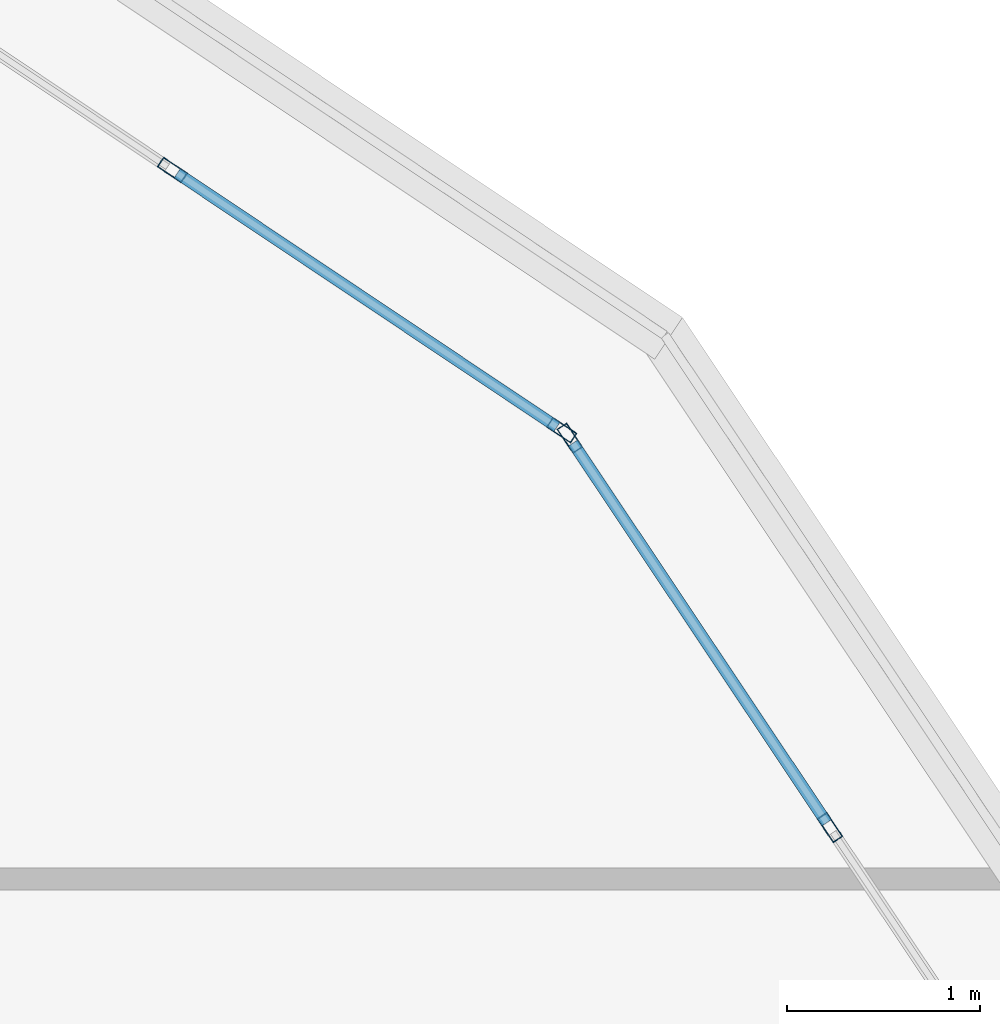
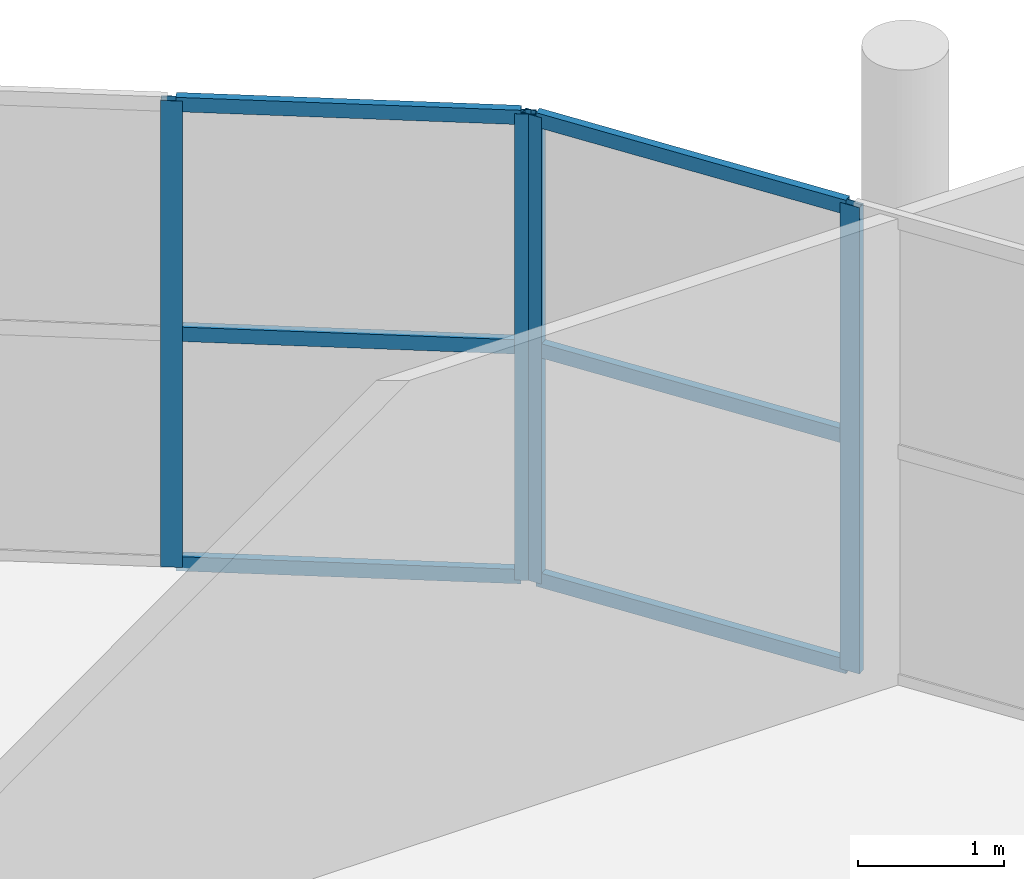
# One storey, part 28 of 50: 10 members, 2 elements without a shape of their own.
"""IFC4 building model written with IfcOpenShell, lengths in metres."""

import ifcopenshell
import ifcopenshell.guid

model = None  # the IFC model being written
_history = None  # IfcOwnerHistory: only IFC2X3 demands one
_inside = {}  # id of a spatial element -> (the spatial element, [elements in it])
_under = {}  # id of a project, library or spatial element -> (it, [spatial elements below it])
_declared = {}  # id of a project -> (the project, [libraries it declares])
_typed = {}  # id of a type object -> (the type object, [elements of that type])
_made_of = {}  # id of a material, layer set ... -> (it, [elements and type objects made of it])


def new_model(schema):
    """Start an empty IFC model of exactly this schema.

    Asked for "IFC4X3", IfcOpenShell would pick the latest addendum, in which some entities
    have other attributes; the version numbers below select the first issue.
    IFC2X3 requires an IfcOwnerHistory on every rooted entity: one is made here for all.
    """
    global model, _history
    if schema == "IFC4X3":
        model = ifcopenshell.file(schema_version=(4, 3, 0, 0))
    else:
        model = ifcopenshell.file(schema=schema)
    _inside.clear()
    _under.clear()
    _declared.clear()
    _typed.clear()
    _made_of.clear()
    _history = None
    if model.schema == "IFC2X3":
        org = make("IfcOrganization", Name="unknown")
        user = make(
            "IfcPersonAndOrganization",
            ThePerson=make("IfcPerson", FamilyName="unknown"),
            TheOrganization=org,
        )
        app = make(
            "IfcApplication",
            ApplicationDeveloper=org,
            Version="unknown",
            ApplicationFullName="unknown",
            ApplicationIdentifier="unknown",
        )
        _history = make(
            "IfcOwnerHistory",
            OwningUser=user,
            OwningApplication=app,
            ChangeAction="ADDED",
            CreationDate=0,
        )
    return model


def make(cls, **values):
    """One entity of the class cls with the attributes given. An attribute that is None is left unset."""
    return model.create_entity(
        cls, **{name: value for name, value in values.items() if value is not None}
    )


def rooted(cls, **values):
    """An entity with a GlobalId (a new one), such as an element, a storey or a relation."""
    return make(cls, GlobalId=ifcopenshell.guid.new(), OwnerHistory=_history, **values)


def si_unit(unit_type, name, prefix=None):
    """IfcSIUnit, for example si_unit("LENGTHUNIT", "METRE", prefix="MILLI")."""
    return make("IfcSIUnit", UnitType=unit_type, Prefix=prefix, Name=name)


def assignment(units):
    """IfcUnitAssignment: the units of a project."""
    return None if units is None else make("IfcUnitAssignment", Units=units)


def point(xyz):
    """IfcCartesianPoint."""
    return None if xyz is None else make("IfcCartesianPoint", Coordinates=xyz)


def direction(xyz):
    """IfcDirection."""
    return None if xyz is None else make("IfcDirection", DirectionRatios=xyz)


def frame(location, z_axis=None, x_axis=None):
    """IfcAxis2Placement3D, a coordinate frame: its origin and axes. An axis left out is left unset."""
    return make(
        "IfcAxis2Placement3D",
        Location=point(location),
        Axis=direction(z_axis),
        RefDirection=direction(x_axis),
    )


def frame_2d(location, x_axis=None):
    """IfcAxis2Placement2D, a coordinate frame in the plane: its origin and x axis."""
    return make(
        "IfcAxis2Placement2D", Location=point(location), RefDirection=direction(x_axis)
    )


def origin():
    """The frame at (0, 0, 0) with its axes left unset."""
    return frame((0.0, 0.0, 0.0))


def origin_2d():
    """The frame at (0, 0) in the plane with its x axis left unset."""
    return frame_2d((0.0, 0.0))


def place(relative_to, where):
    """IfcLocalPlacement: puts the frame where relative to a parent placement (None: the world)."""
    return make(
        "IfcLocalPlacement", PlacementRelTo=relative_to, RelativePlacement=where
    )


def context(
    kind, dimensions, precision=None, world=None, true_north=None, identifier=None
):
    """IfcGeometricRepresentationContext, for example the 3D "Model" context."""
    return make(
        "IfcGeometricRepresentationContext",
        ContextIdentifier=identifier,
        ContextType=kind,
        CoordinateSpaceDimension=dimensions,
        Precision=precision,
        WorldCoordinateSystem=world,
        TrueNorth=true_north,
    )


def subcontext(parent, identifier, kind, view, scale=None):
    """IfcGeometricRepresentationSubContext, for example "Body" below "Model"."""
    return make(
        "IfcGeometricRepresentationSubContext",
        ContextIdentifier=identifier,
        ContextType=kind,
        ParentContext=parent,
        TargetScale=scale,
        TargetView=view,
    )


def project(units=None, contexts=None):
    """IfcProject with its units and contexts."""
    return rooted(
        "IfcProject",
        Name="project",
        RepresentationContexts=contexts,
        UnitsInContext=assignment(units),
    )


def spatial(cls, under=None, at=None, **own):
    """A site, building, storey or space (cls), placed at a placement, below another one or the project."""
    s = rooted(cls, ObjectPlacement=at, **own)
    if under is not None:
        _under.setdefault(under.id(), (under, []))[1].append(s)
    return s


def profile(cls, at=None, kind="AREA", **sizes):
    """A parametric profile (cls). Its sizes go by their IFC names, for example OverallWidth=200.0."""
    return make(cls, ProfileType=kind, Position=at, **sizes)


def hollow_rectangle(**sizes):
    """IfcRectangleHollowProfileDef."""
    return profile("IfcRectangleHollowProfileDef", **sizes)


def extrude(swept, where, along, depth):
    """IfcExtrudedAreaSolid: the profile swept, set in the frame where, extruded along a direction by depth."""
    return make(
        "IfcExtrudedAreaSolid",
        SweptArea=swept,
        Position=where,
        ExtrudedDirection=direction(along),
        Depth=depth,
    )


def shape(context_of_items, identifier, shape_type, items):
    """IfcShapeRepresentation: the items that make up one representation, for example the "Body"."""
    return make(
        "IfcShapeRepresentation",
        ContextOfItems=context_of_items,
        RepresentationIdentifier=identifier,
        RepresentationType=shape_type,
        Items=items,
    )


def material(Name=None, Category=None):
    """IfcMaterial."""
    return make("IfcMaterial", Name=Name, Category=Category)


def layer(
    of_material, thickness, ventilated=None, Name=None, Category=None, Priority=None
):
    """IfcMaterialLayer: one layer of a wall or slab, of a material (None: an air gap)."""
    return make(
        "IfcMaterialLayer",
        Material=of_material,
        LayerThickness=thickness,
        IsVentilated=ventilated,
        Name=Name,
        Category=Category,
        Priority=Priority,
    )


def layer_set(layers, Name=None):
    """IfcMaterialLayerSet."""
    return make("IfcMaterialLayerSet", MaterialLayers=layers, LayerSetName=Name)


def material_profile(
    of_material, cross_section, Name=None, Category=None, Priority=None
):
    """IfcMaterialProfile: a cross section and its material."""
    return make(
        "IfcMaterialProfile",
        Name=Name,
        Material=of_material,
        Profile=cross_section,
        Priority=Priority,
        Category=Category,
    )


def profile_set(profiles, Name=None, composite=None):
    """IfcMaterialProfileSet."""
    return make(
        "IfcMaterialProfileSet",
        Name=Name,
        MaterialProfiles=profiles,
        CompositeProfile=composite,
    )


def made_of(thing, what):
    """Note that an element or type object is made of a material, layer set ...; save() writes the relation."""
    if what is not None:
        _made_of.setdefault(what.id(), (what, []))[1].append(thing)
    return thing


def type_object(cls, material=None, **own):
    """A type object (cls), such as IfcWallType, which elements share."""
    return made_of(rooted(cls, **own), material)


def element(
    cls,
    number,
    at=None,
    inside=None,
    cuts=None,
    type_object=None,
    material=None,
    context=None,
    identifier="Body",
    shape_type=None,
    held_by="IfcProductDefinitionShape",
    body=None,
    shapes=None,
    **own,
):
    """One element of the class cls, such as IfcWall. Its Tag is "e" and its number.

    at: its placement. inside: the storey or other place that contains it. cuts: it is an
    opening in that element (IfcRelVoidsElement). A single representation is given by context,
    identifier, shape_type and body (its items); several are given by shapes. held_by: the class
    of the entity that holds the representations. save() writes the other relations.
    """
    e = rooted(cls, Tag="e%d" % number, ObjectPlacement=at, **own)
    if body is not None:
        shapes = [shape(context, identifier, shape_type, body)]
    if shapes is not None:
        e.Representation = make(held_by, Representations=shapes)
    if inside is not None:
        _inside.setdefault(inside.id(), (inside, []))[1].append(e)
    if cuts is not None:
        rooted(
            "IfcRelVoidsElement", RelatingBuildingElement=cuts, RelatedOpeningElement=e
        )
    if type_object is not None:
        _typed.setdefault(type_object.id(), (type_object, []))[1].append(e)
    return made_of(e, material)


def aggregate(whole, parts):
    """IfcRelAggregates: a whole, such as a stair, and the parts it consists of."""
    return rooted("IfcRelAggregates", RelatingObject=whole, RelatedObjects=parts)


def save(model, path):
    """Write the relations noted so far, then the file.

    IfcRelAggregates (storeys below a building ...), IfcRelContainedInSpatialStructure (elements
    in a storey), IfcRelDefinesByType, IfcRelAssociatesMaterial and IfcRelDeclares: one each for
    every whole, place, type object, material and project.
    """
    for whole, parts in _under.values():
        aggregate(whole, parts)
    for where, things in _inside.values():
        rooted(
            "IfcRelContainedInSpatialStructure",
            RelatedElements=things,
            RelatingStructure=where,
        )
    for kind, things in _typed.values():
        rooted("IfcRelDefinesByType", RelatedObjects=things, RelatingType=kind)
    for what, things in _made_of.values():
        rooted("IfcRelAssociatesMaterial", RelatedObjects=things, RelatingMaterial=what)
    for by, libraries in _declared.values():
        rooted("IfcRelDeclares", RelatingContext=by, RelatedDefinitions=libraries)
    model.write(path)


model = new_model("IFC4")

# Units and contexts
model_context = context("Model", 3, precision=1e-05, world=origin(), true_north=direction((0.0, 1.0)))
body_context = subcontext(model_context, "Body", "Model", "MODEL_VIEW")
ifc_project = project(units=[si_unit("LENGTHUNIT", "METRE"), si_unit("AREAUNIT", "SQUARE_METRE"), si_unit("VOLUMEUNIT", "CUBIC_METRE"), si_unit("PLANEANGLEUNIT", "RADIAN"), si_unit("MASSUNIT", "GRAM", prefix="KILO")], contexts=[model_context])

# Site, building, storey
site_placement = place(None, origin())
site = spatial("IfcSite", under=ifc_project, at=site_placement, CompositionType="ELEMENT")
building_placement = place(site_placement, origin())
building = spatial("IfcBuilding", under=site, at=building_placement, Name="Zizhar Promenade General Hospital", CompositionType="ELEMENT")
storey_placement = place(building_placement, frame((0.0, 0.0, 30.60009765625)))
storey = spatial("IfcBuildingStorey", under=building, at=storey_placement, Name="L07", CompositionType="ELEMENT", Elevation=30.60009765625)

# Curtain wall, members
ifc_material_1 = material(Name="Anodised aluminium 6063-T6 and low-E glass", Category="aluminium")
ifc_layer = layer(ifc_material_1, 0.159912109375)
ifc_layer_set = layer_set([ifc_layer], Name="Anodised aluminium 6063-T6 and low-E glass")
curtain_wall_type = type_object("IfcCurtainWallType", Name="CW-WARD-ARC", PredefinedType="NOTDEFINED", material=ifc_layer_set)
curtain_wall_1_placement = place(storey_placement, origin())
curtain_wall_1 = element("IfcCurtainWall", 1, at=curtain_wall_1_placement, inside=storey, type_object=curtain_wall_type, Name="Ward Semicircular End Glazing L07-06", PredefinedType="NOTDEFINED")
ifc_material_2 = material(Name="Anodised aluminium 6063-T6", Category="aluminium")
ifc_material_profile_1 = material_profile(ifc_material_2, hollow_rectangle(XDim=0.06005859375, YDim=0.14990234375, WallThickness=0.00390625, at=origin_2d()))
ifc_profile_set_1 = profile_set([ifc_material_profile_1], Name="Anodised aluminium 6063-T6")
member_type_1 = type_object("IfcMemberType", Name="CWM-ALU-150x60", PredefinedType="MULLION", material=ifc_profile_set_1)
member_1_placement = place(storey_placement, frame((116.126220703125, 21.484619140625, 0.0), z_axis=(0.0, 0.0, 1.0), x_axis=(0.831461514468, 0.555582352095, 0.0)))
member_1 = element("IfcMember", 2, at=member_1_placement, type_object=member_type_1, Name="CW-12 mullion 1", PredefinedType="MULLION", context=body_context, shape_type="SweptSolid", body=[
    extrude(hollow_rectangle(XDim=0.06005859375, YDim=0.14990234375, WallThickness=0.00390625, at=origin_2d()), origin(), (0.0, 0.0, 1.0), 3.89990234375),
])
member_2_placement = place(storey_placement, frame((117.47509765625, 19.465576171875, 0.0), z_axis=(0.0, 0.0, 1.0), x_axis=(0.831461514468, 0.555582352095, 0.0)))
member_2 = element("IfcMember", 3, at=member_2_placement, type_object=member_type_1, Name="CW-12 mullion 2", PredefinedType="MULLION", context=body_context, shape_type="SweptSolid", body=[
    extrude(hollow_rectangle(XDim=0.06005859375, YDim=0.14990234375, WallThickness=0.00390625, at=origin_2d()), origin(), (0.0, 0.0, 1.0), 3.89990234375),
])

curtain_wall_2_placement = place(storey_placement, origin())
curtain_wall_2 = element("IfcCurtainWall", 4, at=curtain_wall_2_placement, inside=storey, type_object=curtain_wall_type, Name="Ward Semicircular End Glazing L07-07", PredefinedType="NOTDEFINED")
member_3_placement = place(storey_placement, frame((114.065673828125, 22.875244140625, 0.0), z_axis=(0.0, 0.0, 1.0), x_axis=(0.555582352095, 0.831461514468, 0.0)))
member_3 = element("IfcMember", 5, at=member_3_placement, type_object=member_type_1, Name="CW-12 mullion 2", PredefinedType="MULLION", context=body_context, shape_type="SweptSolid", body=[
    extrude(hollow_rectangle(XDim=0.06005859375, YDim=0.14990234375, WallThickness=0.00390625, at=origin_2d()), origin(), (0.0, 0.0, 1.0), 3.89990234375),
])
member_4_placement = place(storey_placement, frame((116.08447265625, 21.526123046875, 0.0), z_axis=(0.0, 0.0, 1.0), x_axis=(0.555582352095, 0.831461514468, 0.0)))
member_4 = element("IfcMember", 6, at=member_4_placement, type_object=member_type_1, Name="CW-12 mullion 3", PredefinedType="MULLION", context=body_context, shape_type="SweptSolid", body=[
    extrude(hollow_rectangle(XDim=0.06005859375, YDim=0.14990234375, WallThickness=0.00390625, at=origin_2d()), origin(), (0.0, 0.0, 1.0), 3.89990234375),
])

# Member
ifc_material_3 = material(Name="Anodised aluminium 6063-T6", Category="aluminium")
ifc_material_profile_2 = material_profile(ifc_material_3, hollow_rectangle(XDim=0.06005859375, YDim=0.1201171875, WallThickness=0.00390625, at=origin_2d()))
ifc_profile_set_2 = profile_set([ifc_material_profile_2], Name="Anodised aluminium 6063-T6")
member_type_2 = type_object("IfcMemberType", Name="CWT-ALU-120x60", PredefinedType="USERDEFINED", material=ifc_profile_set_2)
member_5_placement = place(storey_placement, frame((116.142822265625, 21.459716796875, 0.02978515625), z_axis=(0.555532539312, -0.831494797197, 0.0), x_axis=(0.831494797197, 0.555532539312, 0.0)))
member_5 = element("IfcMember", 7, at=member_5_placement, type_object=member_type_2, Name="CW-12 transom 1.1", ObjectType="TRANSOM", PredefinedType="USERDEFINED", context=body_context, shape_type="SweptSolid", body=[
    extrude(hollow_rectangle(XDim=0.06005859375, YDim=0.1201171875, WallThickness=0.00390625, at=origin_2d()), origin(), (0.0, 0.0, 1.0), 2.368408203125),
])

member_6_placement = place(storey_placement, frame((116.142822265625, 21.459716796875, 1.949951171875), z_axis=(0.555532539312, -0.831494797197, 0.0), x_axis=(0.831494797197, 0.555532539312, 0.0)))
member_6 = element("IfcMember", 8, at=member_6_placement, type_object=member_type_2, Name="CW-12 transom 1.2", ObjectType="TRANSOM", PredefinedType="USERDEFINED", context=body_context, shape_type="SweptSolid", body=[
    extrude(hollow_rectangle(XDim=0.06005859375, YDim=0.1201171875, WallThickness=0.00390625, at=origin_2d()), origin(), (0.0, 0.0, 1.0), 2.368408203125),
])

member_7_placement = place(storey_placement, frame((116.142822265625, 21.459716796875, 3.869873046875), z_axis=(0.555532539312, -0.831494797197, 0.0), x_axis=(0.831494797197, 0.555532539312, 0.0)))
member_7 = element("IfcMember", 9, at=member_7_placement, type_object=member_type_2, Name="CW-12 transom 1.3", ObjectType="TRANSOM", PredefinedType="USERDEFINED", context=body_context, shape_type="SweptSolid", body=[
    extrude(hollow_rectangle(XDim=0.06005859375, YDim=0.1201171875, WallThickness=0.00390625, at=origin_2d()), origin(), (0.0, 0.0, 1.0), 2.368408203125),
])

aggregate(curtain_wall_1, [member_1, member_2, member_5, member_6, member_7])

member_8_placement = place(storey_placement, frame((114.090576171875, 22.858642578125, 0.02978515625), z_axis=(0.831415354375, -0.555651427164, 0.0), x_axis=(0.555651427164, 0.831415354375, 0.0)))
member_8 = element("IfcMember", 10, at=member_8_placement, type_object=member_type_2, Name="CW-12 transom 2.1", ObjectType="TRANSOM", PredefinedType="USERDEFINED", context=body_context, shape_type="SweptSolid", body=[
    extrude(hollow_rectangle(XDim=0.06005859375, YDim=0.1201171875, WallThickness=0.00390625, at=origin_2d()), origin(), (0.0, 0.0, 1.0), 2.3681640625),
])

member_9_placement = place(storey_placement, frame((114.090576171875, 22.858642578125, 1.949951171875), z_axis=(0.831415354375, -0.555651427164, 0.0), x_axis=(0.555651427164, 0.831415354375, 0.0)))
member_9 = element("IfcMember", 11, at=member_9_placement, type_object=member_type_2, Name="CW-12 transom 2.2", ObjectType="TRANSOM", PredefinedType="USERDEFINED", context=body_context, shape_type="SweptSolid", body=[
    extrude(hollow_rectangle(XDim=0.06005859375, YDim=0.1201171875, WallThickness=0.00390625, at=origin_2d()), origin(), (0.0, 0.0, 1.0), 2.3681640625),
])

member_10_placement = place(storey_placement, frame((114.090576171875, 22.858642578125, 3.869873046875), z_axis=(0.831415354375, -0.555651427164, 0.0), x_axis=(0.555651427164, 0.831415354375, 0.0)))
member_10 = element("IfcMember", 12, at=member_10_placement, type_object=member_type_2, Name="CW-12 transom 2.3", ObjectType="TRANSOM", PredefinedType="USERDEFINED", context=body_context, shape_type="SweptSolid", body=[
    extrude(hollow_rectangle(XDim=0.06005859375, YDim=0.1201171875, WallThickness=0.00390625, at=origin_2d()), origin(), (0.0, 0.0, 1.0), 2.3681640625),
])

aggregate(curtain_wall_2, [member_3, member_4, member_8, member_9, member_10])

save(model, "model.ifc")
